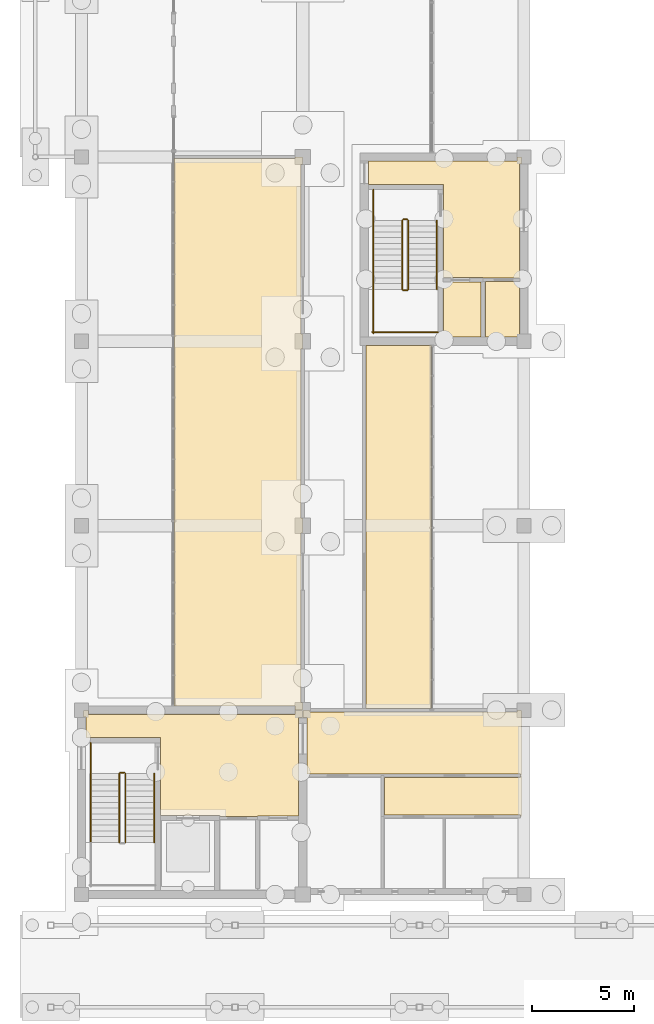
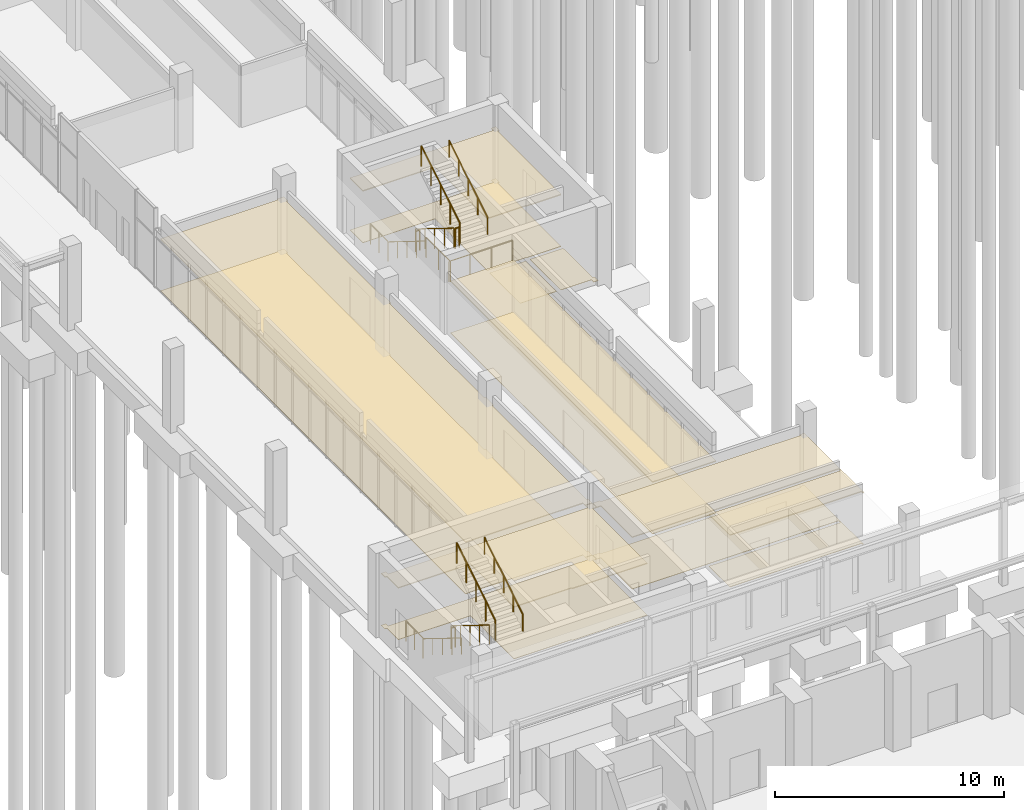
# One storey, part 92 of 106: 15 railings, 14 coverings.
"""IFC4 building model written with IfcOpenShell, lengths in metres."""

import ifcopenshell
import ifcopenshell.guid

model = None  # the IFC model being written
_history = None  # IfcOwnerHistory: only IFC2X3 demands one
_inside = {}  # id of a spatial element -> (the spatial element, [elements in it])
_under = {}  # id of a project, library or spatial element -> (it, [spatial elements below it])
_declared = {}  # id of a project -> (the project, [libraries it declares])
_typed = {}  # id of a type object -> (the type object, [elements of that type])
_made_of = {}  # id of a material, layer set ... -> (it, [elements and type objects made of it])


def new_model(schema):
    """Start an empty IFC model of exactly this schema.

    Asked for "IFC4X3", IfcOpenShell would pick the latest addendum, in which some entities
    have other attributes; the version numbers below select the first issue.
    IFC2X3 requires an IfcOwnerHistory on every rooted entity: one is made here for all.
    """
    global model, _history
    if schema == "IFC4X3":
        model = ifcopenshell.file(schema_version=(4, 3, 0, 0))
    else:
        model = ifcopenshell.file(schema=schema)
    _inside.clear()
    _under.clear()
    _declared.clear()
    _typed.clear()
    _made_of.clear()
    _history = None
    if model.schema == "IFC2X3":
        org = make("IfcOrganization", Name="unknown")
        user = make(
            "IfcPersonAndOrganization",
            ThePerson=make("IfcPerson", FamilyName="unknown"),
            TheOrganization=org,
        )
        app = make(
            "IfcApplication",
            ApplicationDeveloper=org,
            Version="unknown",
            ApplicationFullName="unknown",
            ApplicationIdentifier="unknown",
        )
        _history = make(
            "IfcOwnerHistory",
            OwningUser=user,
            OwningApplication=app,
            ChangeAction="ADDED",
            CreationDate=0,
        )
    return model


def make(cls, **values):
    """One entity of the class cls with the attributes given. An attribute that is None is left unset."""
    return model.create_entity(
        cls, **{name: value for name, value in values.items() if value is not None}
    )


def rooted(cls, **values):
    """An entity with a GlobalId (a new one), such as an element, a storey or a relation."""
    return make(cls, GlobalId=ifcopenshell.guid.new(), OwnerHistory=_history, **values)


def si_unit(unit_type, name, prefix=None):
    """IfcSIUnit, for example si_unit("LENGTHUNIT", "METRE", prefix="MILLI")."""
    return make("IfcSIUnit", UnitType=unit_type, Prefix=prefix, Name=name)


def assignment(units):
    """IfcUnitAssignment: the units of a project."""
    return None if units is None else make("IfcUnitAssignment", Units=units)


def point(xyz):
    """IfcCartesianPoint."""
    return None if xyz is None else make("IfcCartesianPoint", Coordinates=xyz)


def direction(xyz):
    """IfcDirection."""
    return None if xyz is None else make("IfcDirection", DirectionRatios=xyz)


def frame(location, z_axis=None, x_axis=None):
    """IfcAxis2Placement3D, a coordinate frame: its origin and axes. An axis left out is left unset."""
    return make(
        "IfcAxis2Placement3D",
        Location=point(location),
        Axis=direction(z_axis),
        RefDirection=direction(x_axis),
    )


def frame_2d(location, x_axis=None):
    """IfcAxis2Placement2D, a coordinate frame in the plane: its origin and x axis."""
    return make(
        "IfcAxis2Placement2D", Location=point(location), RefDirection=direction(x_axis)
    )


def origin():
    """The frame at (0, 0, 0) with its axes left unset."""
    return frame((0.0, 0.0, 0.0))


def origin_2d():
    """The frame at (0, 0) in the plane with its x axis left unset."""
    return frame_2d((0.0, 0.0))


def place(relative_to, where):
    """IfcLocalPlacement: puts the frame where relative to a parent placement (None: the world)."""
    return make(
        "IfcLocalPlacement", PlacementRelTo=relative_to, RelativePlacement=where
    )


def context(
    kind, dimensions, precision=None, world=None, true_north=None, identifier=None
):
    """IfcGeometricRepresentationContext, for example the 3D "Model" context."""
    return make(
        "IfcGeometricRepresentationContext",
        ContextIdentifier=identifier,
        ContextType=kind,
        CoordinateSpaceDimension=dimensions,
        Precision=precision,
        WorldCoordinateSystem=world,
        TrueNorth=true_north,
    )


def subcontext(parent, identifier, kind, view, scale=None):
    """IfcGeometricRepresentationSubContext, for example "Body" below "Model"."""
    return make(
        "IfcGeometricRepresentationSubContext",
        ContextIdentifier=identifier,
        ContextType=kind,
        ParentContext=parent,
        TargetScale=scale,
        TargetView=view,
    )


def project(units=None, contexts=None):
    """IfcProject with its units and contexts."""
    return rooted(
        "IfcProject",
        Name="project",
        RepresentationContexts=contexts,
        UnitsInContext=assignment(units),
    )


def spatial(cls, under=None, at=None, **own):
    """A site, building, storey or space (cls), placed at a placement, below another one or the project."""
    s = rooted(cls, ObjectPlacement=at, **own)
    if under is not None:
        _under.setdefault(under.id(), (under, []))[1].append(s)
    return s


def polyline(points):
    """IfcPolyline through the points."""
    return make("IfcPolyline", Points=[point(p) for p in points])


def profile(cls, at=None, kind="AREA", **sizes):
    """A parametric profile (cls). Its sizes go by their IFC names, for example OverallWidth=200.0."""
    return make(cls, ProfileType=kind, Position=at, **sizes)


def circle(**sizes):
    """IfcCircleProfileDef."""
    return profile("IfcCircleProfileDef", **sizes)


def outline(outer, holes=None, kind="AREA"):
    """IfcArbitraryClosedProfileDef: a profile drawn as a closed curve; with holes, ...WithVoids."""
    if holes is None:
        return make("IfcArbitraryClosedProfileDef", ProfileType=kind, OuterCurve=outer)
    return make(
        "IfcArbitraryProfileDefWithVoids",
        ProfileType=kind,
        OuterCurve=outer,
        InnerCurves=holes,
    )


def extrude(swept, where, along, depth):
    """IfcExtrudedAreaSolid: the profile swept, set in the frame where, extruded along a direction by depth."""
    return make(
        "IfcExtrudedAreaSolid",
        SweptArea=swept,
        Position=where,
        ExtrudedDirection=direction(along),
        Depth=depth,
    )


def shape(context_of_items, identifier, shape_type, items):
    """IfcShapeRepresentation: the items that make up one representation, for example the "Body"."""
    return make(
        "IfcShapeRepresentation",
        ContextOfItems=context_of_items,
        RepresentationIdentifier=identifier,
        RepresentationType=shape_type,
        Items=items,
    )


def material(Name=None, Category=None):
    """IfcMaterial."""
    return make("IfcMaterial", Name=Name, Category=Category)


def layer(
    of_material, thickness, ventilated=None, Name=None, Category=None, Priority=None
):
    """IfcMaterialLayer: one layer of a wall or slab, of a material (None: an air gap)."""
    return make(
        "IfcMaterialLayer",
        Material=of_material,
        LayerThickness=thickness,
        IsVentilated=ventilated,
        Name=Name,
        Category=Category,
        Priority=Priority,
    )


def layer_set(layers, Name=None):
    """IfcMaterialLayerSet."""
    return make("IfcMaterialLayerSet", MaterialLayers=layers, LayerSetName=Name)


def made_of(thing, what):
    """Note that an element or type object is made of a material, layer set ...; save() writes the relation."""
    if what is not None:
        _made_of.setdefault(what.id(), (what, []))[1].append(thing)
    return thing


def type_object(cls, material=None, **own):
    """A type object (cls), such as IfcWallType, which elements share."""
    return made_of(rooted(cls, **own), material)


def element(
    cls,
    number,
    at=None,
    inside=None,
    cuts=None,
    type_object=None,
    material=None,
    context=None,
    identifier="Body",
    shape_type=None,
    held_by="IfcProductDefinitionShape",
    body=None,
    shapes=None,
    **own,
):
    """One element of the class cls, such as IfcWall. Its Tag is "e" and its number.

    at: its placement. inside: the storey or other place that contains it. cuts: it is an
    opening in that element (IfcRelVoidsElement). A single representation is given by context,
    identifier, shape_type and body (its items); several are given by shapes. held_by: the class
    of the entity that holds the representations. save() writes the other relations.
    """
    e = rooted(cls, Tag="e%d" % number, ObjectPlacement=at, **own)
    if body is not None:
        shapes = [shape(context, identifier, shape_type, body)]
    if shapes is not None:
        e.Representation = make(held_by, Representations=shapes)
    if inside is not None:
        _inside.setdefault(inside.id(), (inside, []))[1].append(e)
    if cuts is not None:
        rooted(
            "IfcRelVoidsElement", RelatingBuildingElement=cuts, RelatedOpeningElement=e
        )
    if type_object is not None:
        _typed.setdefault(type_object.id(), (type_object, []))[1].append(e)
    return made_of(e, material)


def aggregate(whole, parts):
    """IfcRelAggregates: a whole, such as a stair, and the parts it consists of."""
    return rooted("IfcRelAggregates", RelatingObject=whole, RelatedObjects=parts)


def save(model, path):
    """Write the relations noted so far, then the file.

    IfcRelAggregates (storeys below a building ...), IfcRelContainedInSpatialStructure (elements
    in a storey), IfcRelDefinesByType, IfcRelAssociatesMaterial and IfcRelDeclares: one each for
    every whole, place, type object, material and project.
    """
    for whole, parts in _under.values():
        aggregate(whole, parts)
    for where, things in _inside.values():
        rooted(
            "IfcRelContainedInSpatialStructure",
            RelatedElements=things,
            RelatingStructure=where,
        )
    for kind, things in _typed.values():
        rooted("IfcRelDefinesByType", RelatedObjects=things, RelatingType=kind)
    for what, things in _made_of.values():
        rooted("IfcRelAssociatesMaterial", RelatedObjects=things, RelatingMaterial=what)
    for by, libraries in _declared.values():
        rooted("IfcRelDeclares", RelatingContext=by, RelatedDefinitions=libraries)
    model.write(path)


model = new_model("IFC4")

# Units and contexts
model_context = context("Model", 3, precision=1e-05, world=origin(), true_north=direction((0.0, 1.0)))
body_context = subcontext(model_context, "Body", "Model", "MODEL_VIEW")
ifc_project = project(units=[si_unit("LENGTHUNIT", "METRE"), si_unit("AREAUNIT", "SQUARE_METRE"), si_unit("VOLUMEUNIT", "CUBIC_METRE"), si_unit("PLANEANGLEUNIT", "RADIAN"), si_unit("MASSUNIT", "GRAM", prefix="KILO")], contexts=[model_context])

# Site, building, storey
site_placement = place(None, origin())
site = spatial("IfcSite", under=ifc_project, at=site_placement, CompositionType="ELEMENT")
building_placement = place(site_placement, origin())
building = spatial("IfcBuilding", under=site, at=building_placement, Name="Merrow Basin Faculty of Sciences", CompositionType="ELEMENT")
storey_placement = place(building_placement, origin())
storey = spatial("IfcBuildingStorey", under=building, at=storey_placement, Name="L00", CompositionType="ELEMENT", Elevation=0.0)

# Coverings
ifc_material_1 = material(Name="Carpet tile floor")
ifc_layer_1 = layer(ifc_material_1, 0.02001953125)
ifc_layer_set_1 = layer_set([ifc_layer_1], Name="Carpet tile floor")
covering_type_1 = type_object("IfcCoveringType", Name="Carpet tile floor", PredefinedType="FLOORING", material=ifc_layer_set_1)
covering_1_placement = place(storey_placement, origin())
element("IfcCovering", 1, at=covering_1_placement, inside=storey, type_object=covering_type_1, Name="Floor finish L00-B-008", PredefinedType="FLOORING", context=body_context, shape_type="SweptSolid", body=[
    extrude(outline(polyline([(19.489990234375, 88.2099609375), (17.659912109375, 88.2099609375), (17.659912109375, 90.889892578125), (19.489990234375, 90.889892578125), (19.489990234375, 88.2099609375)])), origin(), (0.0, 0.0, 1.0), 0.02001953125),
])
covering_2_placement = place(storey_placement, origin())
element("IfcCovering", 2, at=covering_2_placement, inside=storey, type_object=covering_type_1, Name="Floor finish L00-B-020", PredefinedType="FLOORING", context=body_context, shape_type="SweptSolid", body=[
    extrude(outline(polyline([(17.090087890625, 70.0849609375), (13.885009765625, 70.0849609375), (13.885009765625, 87.7900390625), (17.090087890625, 87.7900390625), (17.090087890625, 70.0849609375)])), origin(), (0.0, 0.0, 1.0), 0.02001953125),
])
ifc_material_2 = material(Name="Polished terrazzo floor")
ifc_layer_2 = layer(ifc_material_2, 0.02001953125)
ifc_layer_set_2 = layer_set([ifc_layer_2], Name="Polished terrazzo floor")
covering_type_2 = type_object("IfcCoveringType", Name="Polished terrazzo floor", PredefinedType="FLOORING", material=ifc_layer_set_2)
covering_3_placement = place(storey_placement, origin())
element("IfcCovering", 3, at=covering_3_placement, inside=storey, type_object=covering_type_2, Name="Floor finish L00-B-005", PredefinedType="FLOORING", context=body_context, shape_type="SweptSolid", body=[
    extrude(outline(polyline([(10.590087890625, 64.8349609375), (8.590087890625, 64.8349609375), (8.590087890625, 64.81005859375), (6.760009765625, 64.81005859375), (6.760009765625, 64.860107421875), (3.860107421875, 64.860107421875), (3.860107421875, 68.659912109375), (0.2099609375, 68.659912109375), (0.2099609375, 69.659912109375), (0.110107421875, 69.659912109375), (0.110107421875, 69.989990234375), (0.340087890625, 69.989990234375), (0.340087890625, 69.7900390625), (10.43505859375, 69.7900390625), (10.43505859375, 69.989990234375), (10.7900390625, 69.989990234375), (10.7900390625, 69.635009765625), (10.590087890625, 69.635009765625), (10.590087890625, 64.8349609375)])), origin(), (0.0, 0.0, 1.0), 0.02001953125),
])
covering_4_placement = place(storey_placement, origin())
element("IfcCovering", 4, at=covering_4_placement, inside=storey, type_object=covering_type_2, Name="Floor finish L00-B-007", PredefinedType="FLOORING", context=body_context, shape_type="SweptSolid", body=[
    extrude(outline(polyline([(21.389892578125, 91.0849609375), (19.610107421875, 91.0849609375), (19.610107421875, 91.110107421875), (17.659912109375, 91.110107421875), (17.659912109375, 95.659912109375), (14.010009765625, 95.659912109375), (14.010009765625, 96.7900390625), (21.260009765625, 96.7900390625), (21.260009765625, 96.989990234375), (21.489990234375, 96.989990234375), (21.489990234375, 96.659912109375), (21.389892578125, 96.659912109375), (21.389892578125, 91.0849609375)])), origin(), (0.0, 0.0, 1.0), 0.02001953125),
])
covering_5_placement = place(storey_placement, origin())
element("IfcCovering", 5, at=covering_5_placement, inside=storey, type_object=covering_type_2, Name="Floor finish L00-B-017", PredefinedType="FLOORING", context=body_context, shape_type="SweptSolid", body=[
    extrude(outline(polyline([(21.489990234375, 66.7900390625), (21.489990234375, 64.81005859375), (21.429931640625, 64.81005859375), (21.429931640625, 64.885009765625), (14.784912109375, 64.885009765625), (14.784912109375, 66.715087890625), (21.429931640625, 66.715087890625), (21.429931640625, 66.7900390625), (21.489990234375, 66.7900390625)])), origin(), (0.0, 0.0, 1.0), 0.02001953125),
])
covering_6_placement = place(storey_placement, origin())
element("IfcCovering", 6, at=covering_6_placement, inside=storey, type_object=covering_type_2, Name="Floor finish L00-B-018", PredefinedType="FLOORING", context=body_context, shape_type="SweptSolid", body=[
    extrude(outline(polyline([(11.1650390625, 69.989990234375), (11.1650390625, 69.9150390625), (21.260009765625, 69.9150390625), (21.260009765625, 69.989990234375), (21.489990234375, 69.989990234375), (21.489990234375, 66.81005859375), (21.429931640625, 66.81005859375), (21.429931640625, 66.885009765625), (11.010009765625, 66.885009765625), (11.010009765625, 69.635009765625), (10.81005859375, 69.635009765625), (10.81005859375, 69.989990234375), (11.1650390625, 69.989990234375)])), origin(), (0.0, 0.0, 1.0), 0.02001953125),
])
covering_7_placement = place(storey_placement, origin())
element("IfcCovering", 7, at=covering_7_placement, inside=storey, type_object=covering_type_2, Name="Floor finish L00-B-021", PredefinedType="FLOORING", context=body_context, shape_type="SweptSolid", body=[
    extrude(outline(polyline([(4.510009765625, 96.9150390625), (10.43505859375, 96.9150390625), (10.43505859375, 96.989990234375), (10.7900390625, 96.989990234375), (10.7900390625, 96.635009765625), (10.715087890625, 96.635009765625), (10.715087890625, 88.364990234375), (10.7900390625, 88.364990234375), (10.7900390625, 87.635009765625), (10.715087890625, 87.635009765625), (10.715087890625, 79.364990234375), (10.7900390625, 79.364990234375), (10.7900390625, 78.635009765625), (10.715087890625, 78.635009765625), (10.715087890625, 70.364990234375), (10.7900390625, 70.364990234375), (10.7900390625, 70.010009765625), (10.43505859375, 70.010009765625), (10.43505859375, 70.2099609375), (4.510009765625, 70.2099609375), (4.510009765625, 96.9150390625)])), origin(), (0.0, 0.0, 1.0), 0.02001953125),
])
ifc_material_3 = material(Name="Sealed concrete floor", Category="concrete")
ifc_layer_3 = layer(ifc_material_3, 0.02001953125)
ifc_layer_set_3 = layer_set([ifc_layer_3], Name="Sealed concrete floor")
covering_type_3 = type_object("IfcCoveringType", Name="Sealed concrete floor", PredefinedType="FLOORING", material=ifc_layer_set_3)
covering_8_placement = place(storey_placement, origin())
element("IfcCovering", 8, at=covering_8_placement, inside=storey, type_object=covering_type_3, Name="Floor finish L00-B-009", PredefinedType="FLOORING", context=body_context, shape_type="SweptSolid", body=[
    extrude(outline(polyline([(21.389892578125, 90.9150390625), (21.389892578125, 88.340087890625), (21.489990234375, 88.340087890625), (21.489990234375, 88.010009765625), (21.260009765625, 88.010009765625), (21.260009765625, 88.2099609375), (19.7099609375, 88.2099609375), (19.7099609375, 90.9150390625), (21.389892578125, 90.9150390625)])), origin(), (0.0, 0.0, 1.0), 0.02001953125),
])

# Railings
ifc_material_4 = material(Name="Steel ASTM A36", Category="steel")
railing_type_1 = type_object("IfcRailingType", Name="Steel guard 1100", PredefinedType="GUARDRAIL", material=ifc_material_4)
railing_1_placement = place(storey_placement, frame((1.85009765625, 66.89990234375, 0.173095703125)))
element("IfcRailing", 9, at=railing_1_placement, inside=storey, type_object=railing_type_1, Name="L00 ST-V4-S stair guard 1", PredefinedType="GUARDRAIL", context=body_context, shape_type="SweptSolid", body=[
    extrude(circle(Radius=0.02392578125, at=origin_2d()), frame((0.0, 0.0, 1.076171875), z_axis=(0.0, -0.850606129759, 0.525803396734), x_axis=(1.0, 0.0, 0.0)), (0.0, 0.0, 1.0), 3.949951171875),
    extrude(circle(Radius=0.02099609375, at=origin_2d()), origin(), (0.0, 0.0, 1.0), 1.052001953125),
    extrude(circle(Radius=0.02099609375, at=origin_2d()), frame((0.0, -0.83984375, 0.519287109375)), (0.0, 0.0, 1.0), 1.052001953125),
    extrude(circle(Radius=0.02099609375, at=origin_2d()), frame((0.0, -1.679931640625, 1.03857421875)), (0.0, 0.0, 1.0), 1.052001953125),
    extrude(circle(Radius=0.02099609375, at=origin_2d()), frame((0.0, -2.52001953125, 1.5576171875)), (0.0, 0.0, 1.0), 1.052001953125),
    extrude(circle(Radius=0.02099609375, at=origin_2d()), frame((0.0, -3.35986328125, 2.076904296875)), (0.0, 0.0, 1.0), 1.052001953125),
])
railing_2_placement = place(storey_placement, frame((2.14990234375, 63.5400390625, 2.423095703125)))
element("IfcRailing", 10, at=railing_2_placement, inside=storey, type_object=railing_type_1, Name="L00 ST-V4-S stair guard 5", PredefinedType="GUARDRAIL", context=body_context, shape_type="SweptSolid", body=[
    extrude(circle(Radius=0.02392578125, at=origin_2d()), frame((0.0, 0.0, 1.076171875), z_axis=(0.0, 0.850606129759, 0.525803396734), x_axis=(-1.0, 0.0, 0.0)), (0.0, 0.0, 1.0), 3.949951171875),
    extrude(circle(Radius=0.02099609375, at=origin_2d()), origin(), (0.0, 0.0, 1.0), 1.052001953125),
    extrude(circle(Radius=0.02099609375, at=origin_2d()), frame((0.0, 0.83984375, 0.519287109375)), (0.0, 0.0, 1.0), 1.052001953125),
    extrude(circle(Radius=0.02099609375, at=origin_2d()), frame((0.0, 1.679931640625, 1.03857421875)), (0.0, 0.0, 1.0), 1.052001953125),
    extrude(circle(Radius=0.02099609375, at=origin_2d()), frame((0.0, 2.52001953125, 1.5576171875)), (0.0, 0.0, 1.0), 1.052001953125),
    extrude(circle(Radius=0.02099609375, at=origin_2d()), frame((0.0, 3.35986328125, 2.076904296875)), (0.0, 0.0, 1.0), 1.052001953125),
])
railing_3_placement = place(storey_placement, frame((1.89990234375, 66.949951171875, 0.0)))
element("IfcRailing", 11, at=railing_3_placement, inside=storey, type_object=railing_type_1, Name="L00 ST-V4-S stair guard 6", PredefinedType="GUARDRAIL", context=body_context, shape_type="SweptSolid", body=[
    extrude(circle(Radius=0.02392578125, at=origin_2d()), frame((0.0, 0.0, 1.076171875), z_axis=(1.0, 0.0, 0.0), x_axis=(0.0, 1.0, 0.0)), (0.0, 0.0, 1.0), 0.2001953125),
    extrude(circle(Radius=0.02099609375, at=origin_2d()), origin(), (0.0, 0.0, 1.0), 1.052001953125),
    extrude(circle(Radius=0.02099609375, at=origin_2d()), frame((0.2001953125, 0.0, 0.0)), (0.0, 0.0, 1.0), 1.052001953125),
])
railing_4_placement = place(storey_placement, frame((0.449951171875, 68.39990234375, 0.0)))
element("IfcRailing", 12, at=railing_4_placement, inside=storey, type_object=railing_type_1, Name="L00 ST-V4-S stair guard 7", PredefinedType="GUARDRAIL", context=body_context, shape_type="SweptSolid", body=[
    extrude(circle(Radius=0.02392578125, at=origin_2d()), frame((0.0, 0.0, 1.076171875), z_axis=(0.0, -1.0, 0.0), x_axis=(1.0, 0.0, 0.0)), (0.0, 0.0, 1.0), 1.5),
    extrude(circle(Radius=0.02099609375, at=origin_2d()), origin(), (0.0, 0.0, 1.0), 1.052001953125),
    extrude(circle(Radius=0.02099609375, at=origin_2d()), frame((0.0, -0.75, 0.0)), (0.0, 0.0, 1.0), 1.052001953125),
    extrude(circle(Radius=0.02099609375, at=origin_2d()), frame((0.0, -1.5, 0.0)), (0.0, 0.0, 1.0), 1.052001953125),
])
railing_5_placement = place(storey_placement, frame((15.64990234375, 93.89990234375, 0.173095703125)))
element("IfcRailing", 13, at=railing_5_placement, inside=storey, type_object=railing_type_1, Name="L00 ST-V4-M stair guard 1", PredefinedType="GUARDRAIL", context=body_context, shape_type="SweptSolid", body=[
    extrude(circle(Radius=0.02392578125, at=origin_2d()), frame((0.0, 0.0, 1.076171875), z_axis=(0.0, -0.850606129759, 0.525803396734), x_axis=(1.0, 0.0, 0.0)), (0.0, 0.0, 1.0), 3.949951171875),
    extrude(circle(Radius=0.02099609375, at=origin_2d()), origin(), (0.0, 0.0, 1.0), 1.052001953125),
    extrude(circle(Radius=0.02099609375, at=origin_2d()), frame((0.0, -0.83984375, 0.519287109375)), (0.0, 0.0, 1.0), 1.052001953125),
    extrude(circle(Radius=0.02099609375, at=origin_2d()), frame((0.0, -1.679931640625, 1.03857421875)), (0.0, 0.0, 1.0), 1.052001953125),
    extrude(circle(Radius=0.02099609375, at=origin_2d()), frame((0.0, -2.52001953125, 1.5576171875)), (0.0, 0.0, 1.0), 1.052001953125),
    extrude(circle(Radius=0.02099609375, at=origin_2d()), frame((0.0, -3.35986328125, 2.076904296875)), (0.0, 0.0, 1.0), 1.052001953125),
])
railing_6_placement = place(storey_placement, frame((15.699951171875, 90.489990234375, 2.25)))
element("IfcRailing", 14, at=railing_6_placement, inside=storey, type_object=railing_type_1, Name="L00 ST-V4-M stair guard 2", PredefinedType="GUARDRAIL", context=body_context, shape_type="SweptSolid", body=[
    extrude(circle(Radius=0.02392578125, at=origin_2d()), frame((0.0, 0.0, 1.076171875), z_axis=(1.0, 0.0, 0.0), x_axis=(0.0, 1.0, 0.0)), (0.0, 0.0, 1.0), 0.199951171875),
    extrude(circle(Radius=0.02099609375, at=origin_2d()), origin(), (0.0, 0.0, 1.0), 1.052001953125),
    extrude(circle(Radius=0.02099609375, at=origin_2d()), frame((0.199951171875, 0.0, 0.0)), (0.0, 0.0, 1.0), 1.052001953125),
])
railing_7_placement = place(storey_placement, frame((14.25, 90.5400390625, 2.25)))
element("IfcRailing", 15, at=railing_7_placement, inside=storey, type_object=railing_type_1, Name="L00 ST-V4-M stair guard 3", PredefinedType="GUARDRAIL", context=body_context, shape_type="SweptSolid", body=[
    extrude(circle(Radius=0.02392578125, at=origin_2d()), frame((0.0, 0.0, 1.076171875), z_axis=(0.0, -1.0, 0.0), x_axis=(1.0, 0.0, 0.0)), (0.0, 0.0, 1.0), 2.14013671875),
    extrude(circle(Radius=0.02099609375, at=origin_2d()), origin(), (0.0, 0.0, 1.0), 1.052001953125),
    extrude(circle(Radius=0.02099609375, at=origin_2d()), frame((0.0, -1.070068359375, 0.0)), (0.0, 0.0, 1.0), 1.052001953125),
    extrude(circle(Radius=0.02099609375, at=origin_2d()), frame((0.0, -2.14013671875, 0.0)), (0.0, 0.0, 1.0), 1.052001953125),
])
railing_8_placement = place(storey_placement, frame((14.199951171875, 88.449951171875, 2.25)))
element("IfcRailing", 16, at=railing_8_placement, inside=storey, type_object=railing_type_1, Name="L00 ST-V4-M stair guard 4", PredefinedType="GUARDRAIL", context=body_context, shape_type="SweptSolid", body=[
    extrude(circle(Radius=0.02392578125, at=origin_2d()), frame((0.0, 0.0, 1.076171875), z_axis=(1.0, 0.0, 0.0), x_axis=(0.0, 1.0, 0.0)), (0.0, 0.0, 1.0), 3.199951171875),
    extrude(circle(Radius=0.02099609375, at=origin_2d()), origin(), (0.0, 0.0, 1.0), 1.052001953125),
    extrude(circle(Radius=0.02099609375, at=origin_2d()), frame((1.066650390625, 0.0, 0.0)), (0.0, 0.0, 1.0), 1.052001953125),
    extrude(circle(Radius=0.02099609375, at=origin_2d()), frame((2.13330078125, 0.0, 0.0)), (0.0, 0.0, 1.0), 1.052001953125),
    extrude(circle(Radius=0.02099609375, at=origin_2d()), frame((3.199951171875, 0.0, 0.0)), (0.0, 0.0, 1.0), 1.052001953125),
])
railing_9_placement = place(storey_placement, frame((15.949951171875, 90.5400390625, 2.423095703125)))
element("IfcRailing", 17, at=railing_9_placement, inside=storey, type_object=railing_type_1, Name="L00 ST-V4-M stair guard 5", PredefinedType="GUARDRAIL", context=body_context, shape_type="SweptSolid", body=[
    extrude(circle(Radius=0.02392578125, at=origin_2d()), frame((0.0, 0.0, 1.076171875), z_axis=(0.0, 0.850606129759, 0.525803396734), x_axis=(-1.0, 0.0, 0.0)), (0.0, 0.0, 1.0), 3.949951171875),
    extrude(circle(Radius=0.02099609375, at=origin_2d()), origin(), (0.0, 0.0, 1.0), 1.052001953125),
    extrude(circle(Radius=0.02099609375, at=origin_2d()), frame((0.0, 0.83984375, 0.519287109375)), (0.0, 0.0, 1.0), 1.052001953125),
    extrude(circle(Radius=0.02099609375, at=origin_2d()), frame((0.0, 1.679931640625, 1.03857421875)), (0.0, 0.0, 1.0), 1.052001953125),
    extrude(circle(Radius=0.02099609375, at=origin_2d()), frame((0.0, 2.52001953125, 1.5576171875)), (0.0, 0.0, 1.0), 1.052001953125),
    extrude(circle(Radius=0.02099609375, at=origin_2d()), frame((0.0, 3.35986328125, 2.076904296875)), (0.0, 0.0, 1.0), 1.052001953125),
])
railing_10_placement = place(storey_placement, frame((15.699951171875, 93.949951171875, 0.0)))
element("IfcRailing", 18, at=railing_10_placement, inside=storey, type_object=railing_type_1, Name="L00 ST-V4-M stair guard 6", PredefinedType="GUARDRAIL", context=body_context, shape_type="SweptSolid", body=[
    extrude(circle(Radius=0.02392578125, at=origin_2d()), frame((0.0, 0.0, 1.076171875), z_axis=(1.0, 0.0, 0.0), x_axis=(0.0, 1.0, 0.0)), (0.0, 0.0, 1.0), 0.199951171875),
    extrude(circle(Radius=0.02099609375, at=origin_2d()), origin(), (0.0, 0.0, 1.0), 1.052001953125),
    extrude(circle(Radius=0.02099609375, at=origin_2d()), frame((0.199951171875, 0.0, 0.0)), (0.0, 0.0, 1.0), 1.052001953125),
])
railing_11_placement = place(storey_placement, frame((14.25, 95.39990234375, 0.0)))
element("IfcRailing", 19, at=railing_11_placement, inside=storey, type_object=railing_type_1, Name="L00 ST-V4-M stair guard 7", PredefinedType="GUARDRAIL", context=body_context, shape_type="SweptSolid", body=[
    extrude(circle(Radius=0.02392578125, at=origin_2d()), frame((0.0, 0.0, 1.076171875), z_axis=(0.0, -1.0, 0.0), x_axis=(1.0, 0.0, 0.0)), (0.0, 0.0, 1.0), 1.5),
    extrude(circle(Radius=0.02099609375, at=origin_2d()), origin(), (0.0, 0.0, 1.0), 1.052001953125),
    extrude(circle(Radius=0.02099609375, at=origin_2d()), frame((0.0, -0.75, 0.0)), (0.0, 0.0, 1.0), 1.052001953125),
    extrude(circle(Radius=0.02099609375, at=origin_2d()), frame((0.0, -1.5, 0.0)), (0.0, 0.0, 1.0), 1.052001953125),
])
ifc_material_5 = material(Name="Steel ASTM A36", Category="steel")
railing_type_2 = type_object("IfcRailingType", Name="Steel handrail 900", PredefinedType="HANDRAIL", material=ifc_material_5)
railing_12_placement = place(storey_placement, frame((0.449951171875, 66.89990234375, 0.173095703125)))
element("IfcRailing", 20, at=railing_12_placement, inside=storey, type_object=railing_type_2, Name="L00 ST-V4-S stair handrail 1", PredefinedType="HANDRAIL", context=body_context, shape_type="SweptSolid", body=[
    extrude(circle(Radius=0.02392578125, at=origin_2d()), frame((0.0, 0.0, 0.8759765625), z_axis=(0.0, -0.850606129759, 0.525803396734), x_axis=(1.0, 0.0, 0.0)), (0.0, 0.0, 1.0), 3.949951171875),
    extrude(circle(Radius=0.02099609375, at=origin_2d()), origin(), (0.0, 0.0, 1.0), 0.851806640625),
    extrude(circle(Radius=0.02099609375, at=origin_2d()), frame((0.0, -0.83984375, 0.519287109375)), (0.0, 0.0, 1.0), 0.851806640625),
    extrude(circle(Radius=0.02099609375, at=origin_2d()), frame((0.0, -1.679931640625, 1.03857421875)), (0.0, 0.0, 1.0), 0.851806640625),
    extrude(circle(Radius=0.02099609375, at=origin_2d()), frame((0.0, -2.52001953125, 1.5576171875)), (0.0, 0.0, 1.0), 0.851806640625),
    extrude(circle(Radius=0.02099609375, at=origin_2d()), frame((0.0, -3.35986328125, 2.076904296875)), (0.0, 0.0, 1.0), 0.851806640625),
])
railing_13_placement = place(storey_placement, frame((3.550048828125, 63.5400390625, 2.423095703125)))
element("IfcRailing", 21, at=railing_13_placement, inside=storey, type_object=railing_type_2, Name="L00 ST-V4-S stair handrail 2", PredefinedType="HANDRAIL", context=body_context, shape_type="SweptSolid", body=[
    extrude(circle(Radius=0.02392578125, at=origin_2d()), frame((0.0, 0.0, 0.8759765625), z_axis=(0.0, 0.850606129759, 0.525803396734), x_axis=(-1.0, 0.0, 0.0)), (0.0, 0.0, 1.0), 3.949951171875),
    extrude(circle(Radius=0.02099609375, at=origin_2d()), origin(), (0.0, 0.0, 1.0), 0.851806640625),
    extrude(circle(Radius=0.02099609375, at=origin_2d()), frame((0.0, 0.83984375, 0.519287109375)), (0.0, 0.0, 1.0), 0.851806640625),
    extrude(circle(Radius=0.02099609375, at=origin_2d()), frame((0.0, 1.679931640625, 1.03857421875)), (0.0, 0.0, 1.0), 0.851806640625),
    extrude(circle(Radius=0.02099609375, at=origin_2d()), frame((0.0, 2.52001953125, 1.5576171875)), (0.0, 0.0, 1.0), 0.851806640625),
    extrude(circle(Radius=0.02099609375, at=origin_2d()), frame((0.0, 3.35986328125, 2.076904296875)), (0.0, 0.0, 1.0), 0.851806640625),
])
railing_14_placement = place(storey_placement, frame((14.25, 93.89990234375, 0.173095703125)))
element("IfcRailing", 22, at=railing_14_placement, inside=storey, type_object=railing_type_2, Name="L00 ST-V4-M stair handrail 1", PredefinedType="HANDRAIL", context=body_context, shape_type="SweptSolid", body=[
    extrude(circle(Radius=0.02392578125, at=origin_2d()), frame((0.0, 0.0, 0.8759765625), z_axis=(0.0, -0.850606129759, 0.525803396734), x_axis=(1.0, 0.0, 0.0)), (0.0, 0.0, 1.0), 3.949951171875),
    extrude(circle(Radius=0.02099609375, at=origin_2d()), origin(), (0.0, 0.0, 1.0), 0.851806640625),
    extrude(circle(Radius=0.02099609375, at=origin_2d()), frame((0.0, -0.83984375, 0.519287109375)), (0.0, 0.0, 1.0), 0.851806640625),
    extrude(circle(Radius=0.02099609375, at=origin_2d()), frame((0.0, -1.679931640625, 1.03857421875)), (0.0, 0.0, 1.0), 0.851806640625),
    extrude(circle(Radius=0.02099609375, at=origin_2d()), frame((0.0, -2.52001953125, 1.5576171875)), (0.0, 0.0, 1.0), 0.851806640625),
    extrude(circle(Radius=0.02099609375, at=origin_2d()), frame((0.0, -3.35986328125, 2.076904296875)), (0.0, 0.0, 1.0), 0.851806640625),
])
railing_15_placement = place(storey_placement, frame((17.35009765625, 90.5400390625, 2.423095703125)))
element("IfcRailing", 23, at=railing_15_placement, inside=storey, type_object=railing_type_2, Name="L00 ST-V4-M stair handrail 2", PredefinedType="HANDRAIL", context=body_context, shape_type="SweptSolid", body=[
    extrude(circle(Radius=0.02392578125, at=origin_2d()), frame((0.0, 0.0, 0.8759765625), z_axis=(0.0, 0.850606129759, 0.525803396734), x_axis=(-1.0, 0.0, 0.0)), (0.0, 0.0, 1.0), 3.949951171875),
    extrude(circle(Radius=0.02099609375, at=origin_2d()), origin(), (0.0, 0.0, 1.0), 0.851806640625),
    extrude(circle(Radius=0.02099609375, at=origin_2d()), frame((0.0, 0.83984375, 0.519287109375)), (0.0, 0.0, 1.0), 0.851806640625),
    extrude(circle(Radius=0.02099609375, at=origin_2d()), frame((0.0, 1.679931640625, 1.03857421875)), (0.0, 0.0, 1.0), 0.851806640625),
    extrude(circle(Radius=0.02099609375, at=origin_2d()), frame((0.0, 2.52001953125, 1.5576171875)), (0.0, 0.0, 1.0), 0.851806640625),
    extrude(circle(Radius=0.02099609375, at=origin_2d()), frame((0.0, 3.35986328125, 2.076904296875)), (0.0, 0.0, 1.0), 0.851806640625),
])

# Coverings
ifc_material_6 = material(Name="Mineral fibre ceiling tile")
ifc_layer_4 = layer(ifc_material_6, 0.050048828125)
ifc_layer_set_4 = layer_set([ifc_layer_4], Name="Suspended acoustic ceiling tile")
covering_type_4 = type_object("IfcCoveringType", Name="Suspended acoustic ceiling tile", PredefinedType="CEILING", material=ifc_layer_set_4)
covering_9_placement = place(storey_placement, frame((0.0, 0.0, 2.75)))
element("IfcCovering", 24, at=covering_9_placement, inside=storey, type_object=covering_type_4, Name="Ceiling L00-B-005", PredefinedType="CEILING", context=body_context, shape_type="SweptSolid", body=[
    extrude(outline(polyline([(10.590087890625, 64.8349609375), (8.590087890625, 64.8349609375), (8.590087890625, 64.81005859375), (6.760009765625, 64.81005859375), (6.760009765625, 64.860107421875), (3.860107421875, 64.860107421875), (3.860107421875, 68.659912109375), (0.2099609375, 68.659912109375), (0.2099609375, 69.659912109375), (0.110107421875, 69.659912109375), (0.110107421875, 69.989990234375), (0.340087890625, 69.989990234375), (0.340087890625, 69.7900390625), (10.43505859375, 69.7900390625), (10.43505859375, 69.989990234375), (10.7900390625, 69.989990234375), (10.7900390625, 69.635009765625), (10.590087890625, 69.635009765625), (10.590087890625, 64.8349609375)])), origin(), (0.0, 0.0, 1.0), 0.050048828125),
])
covering_10_placement = place(storey_placement, frame((0.0, 0.0, 2.75)))
element("IfcCovering", 25, at=covering_10_placement, inside=storey, type_object=covering_type_4, Name="Ceiling L00-B-007", PredefinedType="CEILING", context=body_context, shape_type="SweptSolid", body=[
    extrude(outline(polyline([(21.389892578125, 91.0849609375), (19.610107421875, 91.0849609375), (19.610107421875, 91.110107421875), (17.659912109375, 91.110107421875), (17.659912109375, 95.659912109375), (14.010009765625, 95.659912109375), (14.010009765625, 96.7900390625), (21.260009765625, 96.7900390625), (21.260009765625, 96.989990234375), (21.489990234375, 96.989990234375), (21.489990234375, 96.659912109375), (21.389892578125, 96.659912109375), (21.389892578125, 91.0849609375)])), origin(), (0.0, 0.0, 1.0), 0.050048828125),
])
covering_11_placement = place(storey_placement, frame((0.0, 0.0, 2.75)))
element("IfcCovering", 26, at=covering_11_placement, inside=storey, type_object=covering_type_4, Name="Ceiling L00-B-017", PredefinedType="CEILING", context=body_context, shape_type="SweptSolid", body=[
    extrude(outline(polyline([(21.489990234375, 66.7900390625), (21.489990234375, 64.81005859375), (21.429931640625, 64.81005859375), (21.429931640625, 64.885009765625), (14.784912109375, 64.885009765625), (14.784912109375, 66.715087890625), (21.429931640625, 66.715087890625), (21.429931640625, 66.7900390625), (21.489990234375, 66.7900390625)])), origin(), (0.0, 0.0, 1.0), 0.050048828125),
])
covering_12_placement = place(storey_placement, frame((0.0, 0.0, 2.75)))
element("IfcCovering", 27, at=covering_12_placement, inside=storey, type_object=covering_type_4, Name="Ceiling L00-B-018", PredefinedType="CEILING", context=body_context, shape_type="SweptSolid", body=[
    extrude(outline(polyline([(11.1650390625, 69.989990234375), (11.1650390625, 69.9150390625), (21.260009765625, 69.9150390625), (21.260009765625, 69.989990234375), (21.489990234375, 69.989990234375), (21.489990234375, 66.81005859375), (21.429931640625, 66.81005859375), (21.429931640625, 66.885009765625), (11.010009765625, 66.885009765625), (11.010009765625, 69.635009765625), (10.81005859375, 69.635009765625), (10.81005859375, 69.989990234375), (11.1650390625, 69.989990234375)])), origin(), (0.0, 0.0, 1.0), 0.050048828125),
])
covering_13_placement = place(storey_placement, frame((0.0, 0.0, 2.75)))
element("IfcCovering", 28, at=covering_13_placement, inside=storey, type_object=covering_type_4, Name="Ceiling L00-B-020", PredefinedType="CEILING", context=body_context, shape_type="SweptSolid", body=[
    extrude(outline(polyline([(17.090087890625, 70.0849609375), (13.885009765625, 70.0849609375), (13.885009765625, 87.7900390625), (17.090087890625, 87.7900390625), (17.090087890625, 70.0849609375)])), origin(), (0.0, 0.0, 1.0), 0.050048828125),
])
covering_14_placement = place(storey_placement, frame((0.0, 0.0, 2.75)))
element("IfcCovering", 29, at=covering_14_placement, inside=storey, type_object=covering_type_4, Name="Ceiling L00-B-021", PredefinedType="CEILING", context=body_context, shape_type="SweptSolid", body=[
    extrude(outline(polyline([(4.510009765625, 96.9150390625), (10.43505859375, 96.9150390625), (10.43505859375, 96.989990234375), (10.7900390625, 96.989990234375), (10.7900390625, 96.635009765625), (10.715087890625, 96.635009765625), (10.715087890625, 88.364990234375), (10.7900390625, 88.364990234375), (10.7900390625, 87.635009765625), (10.715087890625, 87.635009765625), (10.715087890625, 79.364990234375), (10.7900390625, 79.364990234375), (10.7900390625, 78.635009765625), (10.715087890625, 78.635009765625), (10.715087890625, 70.364990234375), (10.7900390625, 70.364990234375), (10.7900390625, 70.010009765625), (10.43505859375, 70.010009765625), (10.43505859375, 70.2099609375), (4.510009765625, 70.2099609375), (4.510009765625, 96.9150390625)])), origin(), (0.0, 0.0, 1.0), 0.050048828125),
])

save(model, "model.ifc")
